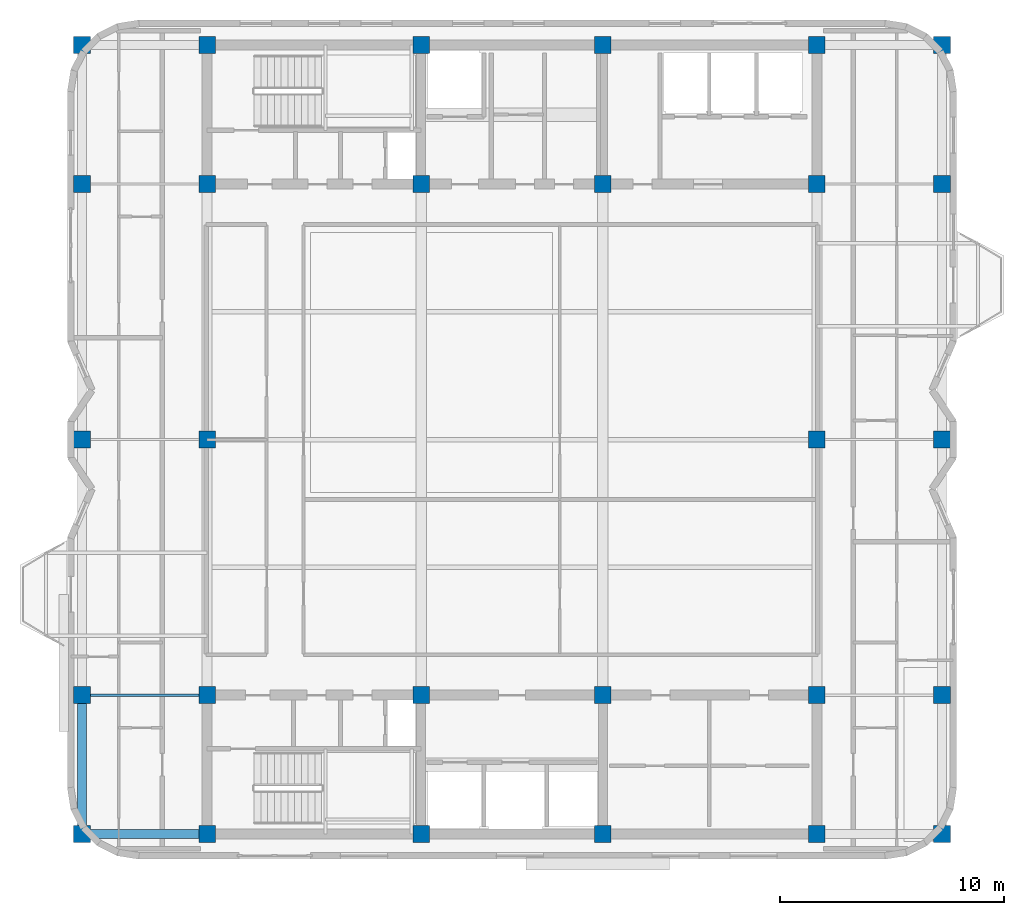
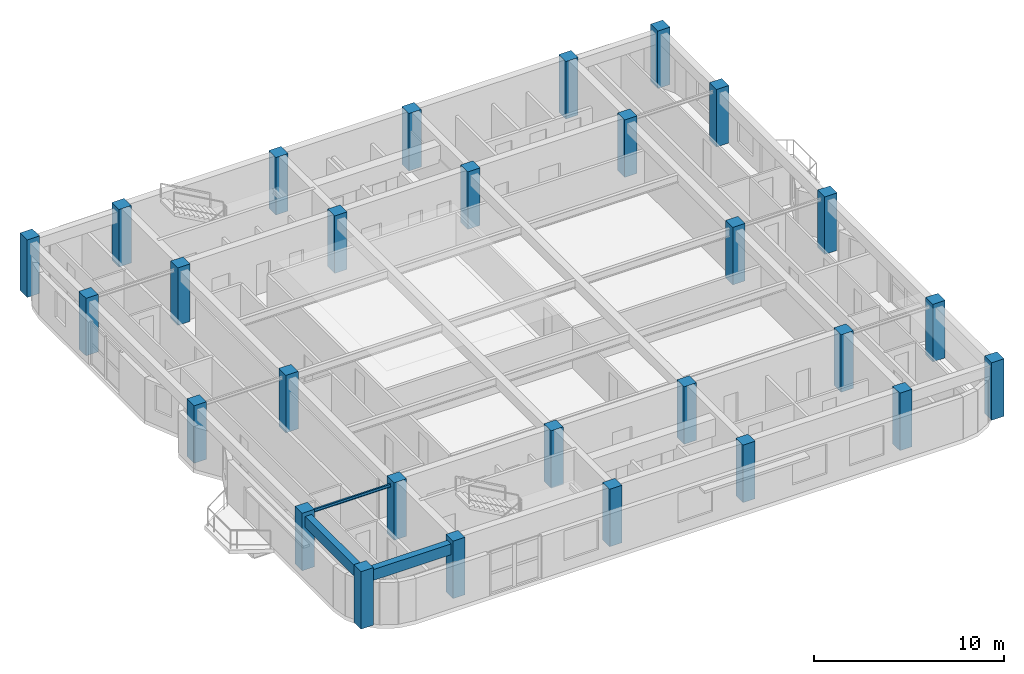
# One storey, part 1 of 11: 28 columns, 3 beams.
"""IFC4 building model written with IfcOpenShell, lengths in metres."""

from ifc_helpers import new_model, si_unit, direction, frame, origin, origin_2d, place, context, subcontext, project, spatial, rectangle, i_section, extrude, material, material_profile, profile_set, type_object, element, save


model = new_model("IFC4")

# Units and contexts
model_context = context("Model", 3, precision=1e-05, world=origin(), true_north=direction((0.0, 1.0)))
body_context = subcontext(model_context, "Body", "Model", "MODEL_VIEW")
ifc_project = project(units=[si_unit("LENGTHUNIT", "METRE"), si_unit("AREAUNIT", "SQUARE_METRE"), si_unit("VOLUMEUNIT", "CUBIC_METRE"), si_unit("PLANEANGLEUNIT", "RADIAN"), si_unit("MASSUNIT", "GRAM", prefix="KILO")], contexts=[model_context])

# Site, building, storey
site_placement = place(None, origin())
site = spatial("IfcSite", under=ifc_project, at=site_placement, CompositionType="ELEMENT")
building_placement = place(site_placement, origin())
building = spatial("IfcBuilding", under=site, at=building_placement, Name="Svetorya Sky Lyceum", CompositionType="ELEMENT")
storey_placement = place(building_placement, frame((0.0, 0.0, 293.5)))
storey = spatial("IfcBuildingStorey", under=building, at=storey_placement, Name="L74", CompositionType="ELEMENT", Elevation=293.5)

# Columns
ifc_material_1 = material(Name="Concrete C40/50", Category="concrete")
ifc_material_profile_1 = material_profile(ifc_material_1, rectangle(XDim=0.75, YDim=0.75, at=origin_2d()), Name="RC COL 750x750")
ifc_profile_set_1 = profile_set([ifc_material_profile_1], Name="Concrete C40/50")
column_type = type_object("IfcColumnType", Name="COL-RC-750", PredefinedType="COLUMN", material=ifc_profile_set_1)
for number, where, z_axis, x_axis, name in (
    (1, (25.60009765625, 10.60009765625, 0.0), (0.0, 0.0, 1.0), (1.0, 0.0, 0.0), "L74 Core Column CS-11"),
    (2, (25.60009765625, 16.800048828125, 0.0), (0.0, 0.0, 1.0), (1.0, 0.0, 0.0), "L74 Core Column CS-12"),
    (3, (35.14990234375, 10.60009765625, 0.0), (0.0, 0.0, 1.0), (1.0, 0.0, 0.0), "L74 Core Column CS-21"),
    (4, (35.14990234375, 16.800048828125, 0.0), (0.0, 0.0, 1.0), (1.0, 0.0, 0.0), "L74 Core Column CS-22"),
    (5, (43.25, 10.60009765625, 0.0), (0.0, 0.0, 1.0), (1.0, 0.0, 0.0), "L74 Core Column CS-31"),
    (6, (43.25, 16.800048828125, 0.0), (0.0, 0.0, 1.0), (1.0, 0.0, 0.0), "L74 Core Column CS-32"),
    (7, (52.800048828125, 10.60009765625, 0.0), (0.0, 0.0, 1.0), (1.0, 0.0, 0.0), "L74 Core Column CS-41"),
    (8, (52.800048828125, 16.800048828125, 0.0), (0.0, 0.0, 1.0), (1.0, 0.0, 0.0), "L74 Core Column CS-42"),
    (9, (25.60009765625, 39.60009765625, 0.0), (0.0, 0.0, 1.0), (1.0, 0.0, 0.0), "L74 Core Column CN-11"),
    (10, (25.60009765625, 45.800048828125, 0.0), (0.0, 0.0, 1.0), (1.0, 0.0, 0.0), "L74 Core Column CN-12"),
    (11, (35.14990234375, 39.60009765625, 0.0), (0.0, 0.0, 1.0), (1.0, 0.0, 0.0), "L74 Core Column CN-21"),
    (12, (35.14990234375, 45.800048828125, 0.0), (0.0, 0.0, 1.0), (1.0, 0.0, 0.0), "L74 Core Column CN-22"),
    (13, (43.25, 39.60009765625, 0.0), (0.0, 0.0, 1.0), (1.0, 0.0, 0.0), "L74 Core Column CN-31"),
    (14, (43.25, 45.800048828125, 0.0), (0.0, 0.0, 1.0), (1.0, 0.0, 0.0), "L74 Core Column CN-32"),
    (15, (52.800048828125, 39.60009765625, 0.0), (0.0, 0.0, 1.0), (1.0, 0.0, 0.0), "L74 Core Column CN-41"),
    (16, (52.800048828125, 45.800048828125, 0.0), (0.0, 0.0, 1.0), (1.0, 0.0, 0.0), "L74 Core Column CN-42"),
    (17, (25.60009765625, 28.199951171875, 0.0), (0.0, 0.0, 1.0), (1.0, 0.0, 0.0), "L74 Core Column CM-W"),
    (18, (52.800048828125, 28.199951171875, 0.0), (0.0, 0.0, 1.0), (1.0, 0.0, 0.0), "L74 Core Column CM-E"),
    (19, (20.010009765625, 10.60009765625, 0.0), (0.0, 0.0, 1.0), (1.0, 0.0, 0.0), "L74 Perimeter Column W1"),
    (20, (58.389892578125, 10.60009765625, 0.0), (0.0, 0.0, 1.0), (1.0, 0.0, 0.0), "L74 Perimeter Column E1"),
    (21, (20.010009765625, 16.800048828125, 0.0), (0.0, 0.0, 1.0), (1.0, 0.0, 0.0), "L74 Perimeter Column W2"),
    (22, (58.389892578125, 16.800048828125, 0.0), (0.0, 0.0, 1.0), (1.0, 0.0, 0.0), "L74 Perimeter Column E2"),
    (23, (20.010009765625, 28.199951171875, 0.0), (0.0, 0.0, 1.0), (1.0, 0.0, 0.0), "L74 Perimeter Column W3"),
    (24, (58.389892578125, 28.199951171875, 0.0), (0.0, 0.0, 1.0), (1.0, 0.0, 0.0), "L74 Perimeter Column E3"),
    (25, (20.010009765625, 39.60009765625, 0.0), (0.0, 0.0, 1.0), (1.0, 0.0, 0.0), "L74 Perimeter Column W4"),
    (26, (58.389892578125, 39.60009765625, 0.0), (0.0, 0.0, 1.0), (1.0, 0.0, 0.0), "L74 Perimeter Column E4"),
    (27, (20.010009765625, 45.800048828125, 0.0), (0.0, 0.0, 1.0), (1.0, 0.0, 0.0), "L74 Perimeter Column W5"),
    (28, (58.389892578125, 45.800048828125, 0.0), (0.0, 0.0, 1.0), (1.0, 0.0, 0.0), "L74 Perimeter Column E5"),
):
    element("IfcColumn", number, at=place(storey_placement, frame(where, z_axis=z_axis, x_axis=x_axis)), inside=storey, type_object=column_type, Name=name, PredefinedType="COLUMN", context=body_context, shape_type="SweptSolid", body=[
        extrude(rectangle(XDim=0.75, YDim=0.75, at=origin_2d()), origin(), (0.0, 0.0, 1.0), 3.699951171875),
    ])

# Beams
ifc_material_2 = material(Name="Concrete C50/60", Category="concrete")
ifc_material_profile_2 = material_profile(ifc_material_2, rectangle(XDim=0.39990234375, YDim=0.699951171875, at=origin_2d()), Name="RC SPANDREL 400x700")
ifc_profile_set_2 = profile_set([ifc_material_profile_2], Name="Concrete C50/60")
beam_type_1 = type_object("IfcBeamType", Name="BM-SPN-700", PredefinedType="SPANDREL", material=ifc_profile_set_2)
beam_1_placement = place(storey_placement, frame((20.010009765625, 10.60009765625, 3.080078125), z_axis=(1.0, 0.0, 0.0), x_axis=(0.0, 1.0, 0.0)))
element("IfcBeam", 29, at=beam_1_placement, inside=storey, type_object=beam_type_1, Name="L74 Tie Spandrel SW", PredefinedType="SPANDREL", context=body_context, shape_type="SweptSolid", body=[
    extrude(rectangle(XDim=0.39990234375, YDim=0.699951171875, at=origin_2d()), origin(), (0.0, 0.0, 1.0), 5.590087890625),
])
beam_2_placement = place(storey_placement, frame((20.010009765625, 10.60009765625, 3.080078125), z_axis=(0.0, 1.0, 0.0), x_axis=(-1.0, 0.0, 0.0)))
element("IfcBeam", 30, at=beam_2_placement, inside=storey, type_object=beam_type_1, Name="L74 West Spandrel 1", PredefinedType="SPANDREL", context=body_context, shape_type="SweptSolid", body=[
    extrude(rectangle(XDim=0.39990234375, YDim=0.699951171875, at=origin_2d()), origin(), (0.0, 0.0, 1.0), 6.199951171875),
])
ifc_material_3 = material(Name="Steel S355", Category="steel")
ifc_material_profile_3 = material_profile(ifc_material_3, i_section(OverallWidth=0.10009765625, OverallDepth=0.199951171875, WebThickness=0.005615234375, FlangeThickness=0.008544921875, at=origin_2d()), Name="GOST 20B1")
ifc_profile_set_3 = profile_set([ifc_material_profile_3], Name="Steel S355")
beam_type_2 = type_object("IfcBeamType", Name="BM-STL-20B1", PredefinedType="JOIST", material=ifc_profile_set_3)
beam_3_placement = place(storey_placement, frame((20.010009765625, 16.800048828125, 3.330078125), z_axis=(1.0, 0.0, 0.0), x_axis=(0.0, 1.0, 0.0)))
element("IfcBeam", 31, at=beam_3_placement, inside=storey, type_object=beam_type_2, Name="L74 West Wing Floor Joist W2", PredefinedType="JOIST", context=body_context, shape_type="SweptSolid", body=[
    extrude(i_section(OverallWidth=0.10009765625, OverallDepth=0.199951171875, WebThickness=0.005615234375, FlangeThickness=0.008544921875, at=origin_2d()), origin(), (0.0, 0.0, 1.0), 5.590087890625),
])

save(model, "model.ifc")
